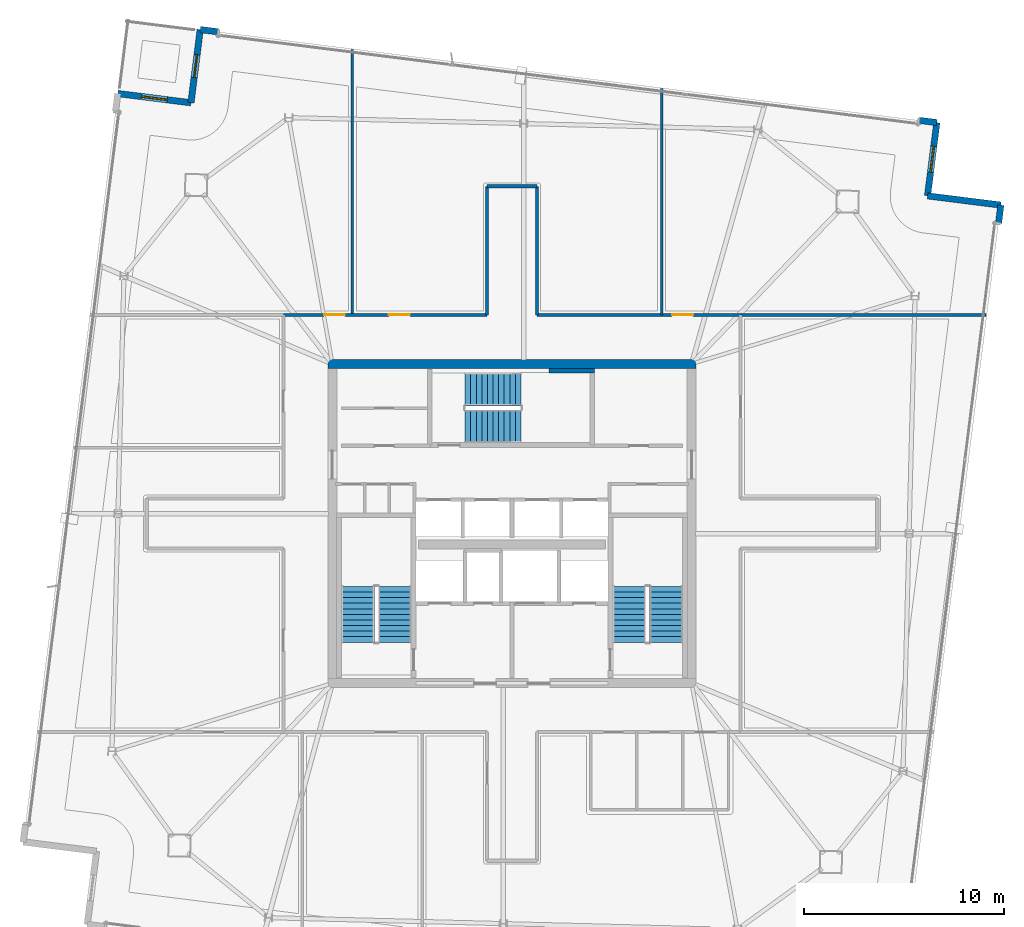
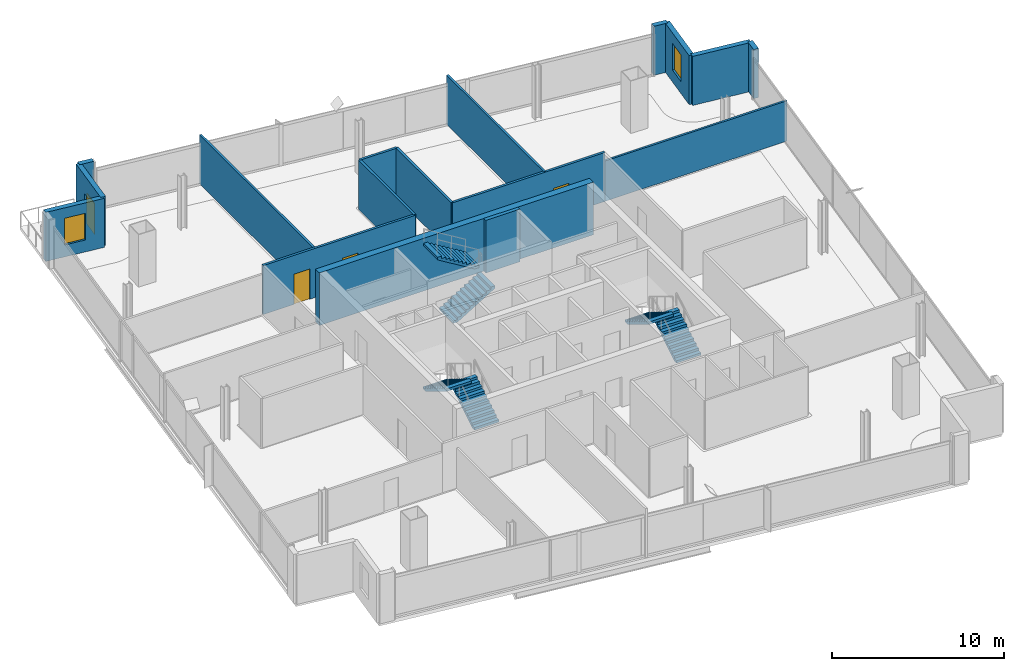
# One storey, part 20 of 23: 17 walls, 6 stair flights, 4 doors, 2 windows, 6 openings, 3 elements without a shape of their own.
"""IFC4 building model written with IfcOpenShell, lengths in metres."""

from ifc_helpers import new_model, si_unit, direction, frame, frame_2d, origin, place, context, subcontext, project, spatial, polyline, rectangle, outline, extrude, material, layer, layer_set, type_object, element, fill, aggregate, save


model = new_model("IFC4")

# Units and contexts
model_context = context("Model", 3, precision=1e-05, world=origin(), true_north=direction((0.0, 1.0)))
body_context = subcontext(model_context, "Body", "Model", "MODEL_VIEW")
ifc_project = project(units=[si_unit("LENGTHUNIT", "METRE"), si_unit("AREAUNIT", "SQUARE_METRE"), si_unit("VOLUMEUNIT", "CUBIC_METRE"), si_unit("PLANEANGLEUNIT", "RADIAN"), si_unit("MASSUNIT", "GRAM", prefix="KILO")], contexts=[model_context])

# Site, building, storey
site_placement = place(None, origin())
site = spatial("IfcSite", under=ifc_project, at=site_placement, CompositionType="ELEMENT")
building_placement = place(site_placement, origin())
building = spatial("IfcBuilding", under=site, at=building_placement, Name="Haldenkirk Collegiate Tower", CompositionType="ELEMENT")
storey_placement = place(building_placement, frame((0.0, 0.0, 306.449951171875)))
storey = spatial("IfcBuildingStorey", under=building, at=storey_placement, Name="L77", CompositionType="ELEMENT", Elevation=306.449951171875)

# Walls
ifc_material_1 = material(Name="Concrete f'c 55 MPa", Category="concrete")
ifc_layer_1 = layer(ifc_material_1, 0.449951171875)
ifc_layer_set_1 = layer_set([ifc_layer_1], Name="Concrete f'c 55 MPa")
wall_type_1 = type_object("IfcWallType", Name="WL-CORE-450", PredefinedType="SHEAR", material=ifc_layer_set_1)
wall_1_placement = place(storey_placement, frame((26.77490234375, 34.0, 0.0), z_axis=(0.0, 0.0, 1.0), x_axis=(1.0, 0.0, 0.0)))
element("IfcWall", 1, at=wall_1_placement, inside=storey, type_object=wall_type_1, Name="L77 central core shear wall N", PredefinedType="SHEAR", context=body_context, shape_type="SweptSolid", body=[
    extrude(rectangle(XDim=18.4501953125, YDim=0.449951171875, at=frame_2d((9.22509765625, 0.0))), origin(), (0.0, 0.0, 1.0), 3.75),
])
ifc_material_2 = material(Name="Precast concrete f'c 40 MPa", Category="concrete")
ifc_layer_2 = layer(ifc_material_2, 0.320068359375)
ifc_layer_set_2 = layer_set([ifc_layer_2], Name="Precast concrete f'c 40 MPa")
wall_type_2 = type_object("IfcWallType", Name="WL-EXT-TWR-320", PredefinedType="STANDARD", material=ifc_layer_set_2)
wall_2_placement = place(storey_placement, frame((60.492919921875, 41.9560546875, 0.0), z_axis=(0.0, 0.0, 1.0), x_axis=(-0.125303102883, -0.99211850724, 0.0)))
element("IfcWall", 2, at=wall_2_placement, inside=storey, type_object=wall_type_2, Name="L77 precast corner pier SL", PredefinedType="STANDARD", context=body_context, shape_type="SweptSolid", body=[
    extrude(rectangle(XDim=0.900146484375, YDim=0.320068359375, at=frame_2d((0.4501953125, 0.0))), origin(), (0.0, 0.0, 1.0), 3.489990234375),
])
wall_3_placement = place(storey_placement, frame((56.822021484375, 42.419921875, 0.0), z_axis=(0.0, 0.0, 1.0), x_axis=(0.992110504402, -0.125366451075, 0.0)))
element("IfcWall", 3, at=wall_3_placement, inside=storey, type_object=wall_type_2, Name="L77 bronze precast notch wall 02", PredefinedType="STANDARD", context=body_context, shape_type="SweptSolid", body=[
    extrude(rectangle(XDim=3.7001953125, YDim=0.320068359375, at=frame_2d((1.85009765625, 0.0))), origin(), (0.0, 0.0, 1.0), 3.489990234375),
])

# Wall, opening, window
wall_4_placement = place(storey_placement, frame((57.285888671875, 46.090576171875, 0.0), z_axis=(0.0, 0.0, 1.0), x_axis=(-0.125374658318, -0.992109467272, 0.0)))
wall_4 = element("IfcWall", 4, at=wall_4_placement, inside=storey, type_object=wall_type_2, Name="L77 bronze precast notch wall 03", PredefinedType="STANDARD", context=body_context, shape_type="SweptSolid", body=[
    extrude(rectangle(XDim=3.699951171875, YDim=0.320068359375, at=frame_2d((1.85009765625, 0.0))), origin(), (0.0, 0.0, 1.0), 3.489990234375),
])
opening_1_placement = place(wall_4_placement, frame((1.199951171875, 0.0, 0.85009765625)))
opening_1 = element("IfcOpeningElement", 5, at=opening_1_placement, cuts=wall_4, Name="Opening W-08", PredefinedType="OPENING", context=body_context, shape_type="SweptSolid", body=[
    extrude(rectangle(XDim=1.300048828125, YDim=1.89990234375, at=frame_2d((0.64990234375, 0.949951171875))), frame((0.0, 0.169921875, 0.0), z_axis=(0.0, -1.0, 0.0), x_axis=(1.0, 0.0, 0.0)), (0.0, 0.0, 1.0), 0.340087890625),
])
ifc_material_3 = material(Name="Low-E argon triple insulating glass", Category="glass")
ifc_layer_3 = layer(ifc_material_3, 0.090087890625)
ifc_layer_set_3 = layer_set([ifc_layer_3], Name="Low-E argon triple insulating glass")
window_type = type_object("IfcWindowType", Name="WN-Z6-1300X1900", PartitioningType="SINGLE_PANEL", PredefinedType="WINDOW", material=ifc_layer_set_3)
window_1_placement = place(opening_1_placement, origin())
window_1 = element("IfcWindow", 6, at=window_1_placement, inside=storey, type_object=window_type, Name="L77 precast-frame academic window 2", OverallHeight=1.89990234375, OverallWidth=1.300048828125, PartitioningType="SINGLE_PANEL", PredefinedType="WINDOW", context=body_context, shape_type="SweptSolid", body=[
    extrude(rectangle(XDim=1.300048828125, YDim=1.89990234375, at=frame_2d((0.64990234375, 0.949951171875))), frame((0.0, 0.030029296875, 0.0), z_axis=(0.0, -1.0, 0.0), x_axis=(1.0, 0.0, 0.0)), (0.0, 0.0, 1.0), 0.06005859375),
])
fill(opening_1, window_1)

# Walls
wall_5_placement = place(storey_placement, frame((20.379150390625, 50.7529296875, 0.0), z_axis=(0.0, 0.0, 1.0), x_axis=(0.99211850724, -0.125303102883, 0.0)))
element("IfcWall", 7, at=wall_5_placement, inside=storey, type_object=wall_type_2, Name="L77 precast corner pier EL", PredefinedType="STANDARD", context=body_context, shape_type="SweptSolid", body=[
    extrude(rectangle(XDim=0.900146484375, YDim=0.320068359375, at=frame_2d((0.4501953125, 0.0))), origin(), (0.0, 0.0, 1.0), 3.489990234375),
])
wall_6_placement = place(storey_placement, frame((56.39306640625, 46.203369140625, 0.0), z_axis=(0.0, 0.0, 1.0), x_axis=(0.992114247149, -0.125336828598, 0.0)))
element("IfcWall", 8, at=wall_6_placement, inside=storey, type_object=wall_type_2, Name="L77 precast corner pier ER", PredefinedType="STANDARD", context=body_context, shape_type="SweptSolid", body=[
    extrude(rectangle(XDim=0.89990234375, YDim=0.320068359375, at=frame_2d((0.449951171875, 0.0))), origin(), (0.0, 0.0, 1.0), 3.489990234375),
])

# Wall, opening, door
wall_7_placement = place(storey_placement, frame((19.91552734375, 47.082275390625, 0.0), z_axis=(0.0, 0.0, 1.0), x_axis=(0.125309708082, 0.992117672991, 0.0)))
wall_7 = element("IfcWall", 9, at=wall_7_placement, inside=storey, type_object=wall_type_2, Name="L77 bronze precast notch wall 05", PredefinedType="STANDARD", context=body_context, shape_type="SweptSolid", body=[
    extrude(rectangle(XDim=3.69970703125, YDim=0.320068359375, at=frame_2d((1.849853515625, 0.0))), origin(), (0.0, 0.0, 1.0), 3.489990234375),
])
opening_2_placement = place(wall_7_placement, frame((1.27490234375, 0.0, 0.0)))
opening_2 = element("IfcOpeningElement", 10, at=opening_2_placement, cuts=wall_7, Name="Opening D-ST11", PredefinedType="OPENING", context=body_context, shape_type="SweptSolid", body=[
    extrude(rectangle(XDim=1.14990234375, YDim=2.199951171875, at=frame_2d((0.574951171875, 1.10009765625))), frame((0.0, 0.169921875, 0.0), z_axis=(0.0, -1.0, 0.0), x_axis=(1.0, 0.0, 0.0)), (0.0, 0.0, 1.0), 0.340087890625),
])
ifc_material_4 = material(Name="Anodised architectural bronze aluminium", Category="aluminium")
ifc_layer_4 = layer(ifc_material_4, 0.080078125)
ifc_layer_set_4 = layer_set([ifc_layer_4], Name="Anodised architectural bronze aluminium")
door_type_1 = type_object("IfcDoorType", Name="DR-EXT-STER-1150", OperationType="NOTDEFINED", PredefinedType="DOOR", material=ifc_layer_set_4)
door_1_placement = place(opening_2_placement, origin())
door_1 = element("IfcDoor", 11, at=door_1_placement, inside=storey, type_object=door_type_1, Name="L77 spiralling terrace door", OperationType="SINGLE_SWING_RIGHT", OverallHeight=2.199951171875, OverallWidth=1.14990234375, PredefinedType="DOOR", context=body_context, shape_type="SweptSolid", body=[
    extrude(rectangle(XDim=1.14990234375, YDim=2.199951171875, at=frame_2d((0.574951171875, 1.10009765625))), frame((0.0, 0.02490234375, 0.0), z_axis=(0.0, -1.0, 0.0), x_axis=(1.0, 0.0, 0.0)), (0.0, 0.0, 1.0), 0.050048828125),
])
fill(opening_2, door_1)

# Wall, opening, window
wall_8_placement = place(storey_placement, frame((16.24462890625, 47.5458984375, 0.0), z_axis=(0.0, 0.0, 1.0), x_axis=(0.992118709055, -0.125301504954, 0.0)))
wall_8 = element("IfcWall", 12, at=wall_8_placement, inside=storey, type_object=wall_type_2, Name="L77 bronze precast notch wall 06", PredefinedType="STANDARD", context=body_context, shape_type="SweptSolid", body=[
    extrude(rectangle(XDim=3.699951171875, YDim=0.320068359375, at=frame_2d((1.85009765625, 0.0))), origin(), (0.0, 0.0, 1.0), 3.489990234375),
])
opening_3_placement = place(wall_8_placement, frame((1.199951171875, 0.0, 0.85009765625)))
opening_3 = element("IfcOpeningElement", 13, at=opening_3_placement, cuts=wall_8, Name="Opening W-08", PredefinedType="OPENING", context=body_context, shape_type="SweptSolid", body=[
    extrude(rectangle(XDim=1.300048828125, YDim=1.89990234375, at=frame_2d((0.64990234375, 0.949951171875))), frame((0.0, 0.169921875, 0.0), z_axis=(0.0, -1.0, 0.0), x_axis=(1.0, 0.0, 0.0)), (0.0, 0.0, 1.0), 0.340087890625),
])
window_2_placement = place(opening_3_placement, origin())
window_2 = element("IfcWindow", 14, at=window_2_placement, inside=storey, type_object=window_type, Name="L77 precast-frame academic window 5", OverallHeight=1.89990234375, OverallWidth=1.300048828125, PartitioningType="SINGLE_PANEL", PredefinedType="WINDOW", context=body_context, shape_type="SweptSolid", body=[
    extrude(rectangle(XDim=1.300048828125, YDim=1.89990234375, at=frame_2d((0.64990234375, 0.949951171875))), frame((0.0, 0.030029296875, 0.0), z_axis=(0.0, -1.0, 0.0), x_axis=(1.0, 0.0, 0.0)), (0.0, 0.0, 1.0), 0.06005859375),
])
fill(opening_3, window_2)

# Wall, openings, doors
ifc_material_5 = material(Name="Acoustic fire-rated gypsum partition", Category="concrete")
ifc_layer_5 = layer(ifc_material_5, 0.159912109375)
ifc_layer_set_5 = layer_set([ifc_layer_5], Name="Acoustic fire-rated gypsum partition")
wall_type_3 = type_object("IfcWallType", Name="WL-INT-CORR-160", PredefinedType="PARTITIONING", material=ifc_layer_set_5)
wall_9_placement = place(storey_placement, frame((24.5, 36.449951171875, 0.0), z_axis=(0.0, 0.0, 1.0), x_axis=(1.0, 0.0, 0.0)))
wall_9 = element("IfcWall", 15, at=wall_9_placement, inside=storey, type_object=wall_type_3, Name="L77 interior partition IW-L77-CN1", PredefinedType="PARTITIONING", context=body_context, shape_type="SweptSolid", body=[
    extrude(rectangle(XDim=10.25, YDim=0.159912109375, at=frame_2d((5.125, 0.0))), origin(), (0.0, 0.0, 1.0), 3.489990234375),
])
opening_4_placement = place(wall_9_placement, frame((2.0810546875, 0.0, 0.0)))
opening_4 = element("IfcOpeningElement", 16, at=opening_4_placement, cuts=wall_9, Name="Opening D-09", PredefinedType="OPENING", context=body_context, shape_type="SweptSolid", body=[
    extrude(rectangle(XDim=1.050048828125, YDim=2.14990234375, at=frame_2d((0.52490234375, 1.074951171875))), frame((0.0, 0.08984375, 0.0), z_axis=(0.0, -1.0, 0.0), x_axis=(1.0, 0.0, 0.0)), (0.0, 0.0, 1.0), 0.179931640625),
])
opening_5_placement = place(wall_9_placement, frame((5.333984375, 0.0, 0.0)))
opening_5 = element("IfcOpeningElement", 17, at=opening_5_placement, cuts=wall_9, Name="Opening D-09", PredefinedType="OPENING", context=body_context, shape_type="SweptSolid", body=[
    extrude(rectangle(XDim=1.050048828125, YDim=2.14990234375, at=frame_2d((0.52490234375, 1.074951171875))), frame((0.0, 0.08984375, 0.0), z_axis=(0.0, -1.0, 0.0), x_axis=(1.0, 0.0, 0.0)), (0.0, 0.0, 1.0), 0.179931640625),
])
ifc_material_6 = material(Name="Solid-core architectural oak fire door", Category="wood")
ifc_layer_6 = layer(ifc_material_6, 0.06005859375)
ifc_layer_set_6 = layer_set([ifc_layer_6], Name="Solid-core architectural oak fire door")
door_type_2 = type_object("IfcDoorType", Name="DR-INT-FD60-1050", OperationType="NOTDEFINED", PredefinedType="DOOR", material=ifc_layer_set_6)
door_2_placement = place(opening_4_placement, origin())
door_2 = element("IfcDoor", 18, at=door_2_placement, inside=storey, type_object=door_type_2, Name="L77 Occupational Health Clinic 4 door", OperationType="SINGLE_SWING_RIGHT", OverallHeight=2.14990234375, OverallWidth=1.050048828125, PredefinedType="DOOR", context=body_context, shape_type="SweptSolid", body=[
    extrude(rectangle(XDim=1.050048828125, YDim=2.14990234375, at=frame_2d((0.52490234375, 1.074951171875))), frame((0.0, 0.02490234375, 0.0), z_axis=(0.0, -1.0, 0.0), x_axis=(1.0, 0.0, 0.0)), (0.0, 0.0, 1.0), 0.050048828125),
])
fill(opening_4, door_2)
door_3_placement = place(opening_5_placement, origin())
door_3 = element("IfcDoor", 19, at=door_3_placement, inside=storey, type_object=door_type_2, Name="L77 Acoustics Testing Laboratory 5 door", OperationType="SINGLE_SWING_LEFT", OverallHeight=2.14990234375, OverallWidth=1.050048828125, PredefinedType="DOOR", context=body_context, shape_type="SweptSolid", body=[
    extrude(rectangle(XDim=1.050048828125, YDim=2.14990234375, at=frame_2d((0.52490234375, 1.074951171875))), frame((0.0, 0.02490234375, 0.0), z_axis=(0.0, -1.0, 0.0), x_axis=(1.0, 0.0, 0.0)), (0.0, 0.0, 1.0), 0.050048828125),
])
fill(opening_5, door_3)

# Wall, opening, door
wall_10_placement = place(storey_placement, frame((37.25, 36.449951171875, 0.0), z_axis=(0.0, 0.0, 1.0), x_axis=(1.0, 0.0, 0.0)))
wall_10 = element("IfcWall", 20, at=wall_10_placement, inside=storey, type_object=wall_type_3, Name="L77 interior partition IW-L77-CN2", PredefinedType="PARTITIONING", context=body_context, shape_type="SweptSolid", body=[
    extrude(rectangle(XDim=10.25, YDim=0.159912109375, at=frame_2d((5.125, 0.0))), origin(), (0.0, 0.0, 1.0), 3.489990234375),
])
opening_6_placement = place(wall_10_placement, frame((6.779052734375, 0.0, 0.0)))
opening_6 = element("IfcOpeningElement", 21, at=opening_6_placement, cuts=wall_10, Name="Opening D-09", PredefinedType="OPENING", context=body_context, shape_type="SweptSolid", body=[
    extrude(rectangle(XDim=1.050048828125, YDim=2.14990234375, at=frame_2d((0.52490234375, 1.074951171875))), frame((0.0, 0.08984375, 0.0), z_axis=(0.0, -1.0, 0.0), x_axis=(1.0, 0.0, 0.0)), (0.0, 0.0, 1.0), 0.179931640625),
])
door_4_placement = place(opening_6_placement, origin())
door_4 = element("IfcDoor", 22, at=door_4_placement, inside=storey, type_object=door_type_2, Name="L77 Environmental Lab 6 door", OperationType="SINGLE_SWING_RIGHT", OverallHeight=2.14990234375, OverallWidth=1.050048828125, PredefinedType="DOOR", context=body_context, shape_type="SweptSolid", body=[
    extrude(rectangle(XDim=1.050048828125, YDim=2.14990234375, at=frame_2d((0.52490234375, 1.074951171875))), frame((0.0, 0.02490234375, 0.0), z_axis=(0.0, -1.0, 0.0), x_axis=(1.0, 0.0, 0.0)), (0.0, 0.0, 1.0), 0.050048828125),
])
fill(opening_6, door_4)

# Walls
for number, where, z_axis, x_axis, name in (
    (23, (34.75, 36.449951171875, 0.0), (0.0, 0.0, 1.0), (0.0, 1.0, 0.0), "L77 interior partition IW-L77-NPW"),
    (24, (37.25, 36.449951171875, 0.0), (0.0, 0.0, 1.0), (0.0, 1.0, 0.0), "L77 interior partition IW-L77-NPE"),
):
    element("IfcWall", number, at=place(storey_placement, frame(where, z_axis=z_axis, x_axis=x_axis)), inside=storey, type_object=wall_type_3, Name=name, PredefinedType="PARTITIONING", context=body_context, shape_type="SweptSolid", body=[
        extrude(rectangle(XDim=6.449951171875, YDim=0.159912109375, at=frame_2d((3.22509765625, 0.0))), origin(), (0.0, 0.0, 1.0), 3.489990234375),
    ])
wall_11_placement = place(storey_placement, frame((34.75, 42.89990234375, 0.0), z_axis=(0.0, 0.0, 1.0), x_axis=(1.0, 0.0, 0.0)))
element("IfcWall", 25, at=wall_11_placement, inside=storey, type_object=wall_type_3, Name="L77 interior partition IW-L77-NPN", PredefinedType="PARTITIONING", context=body_context, shape_type="SweptSolid", body=[
    extrude(rectangle(XDim=2.5, YDim=0.159912109375, at=frame_2d((1.25, 0.0))), origin(), (0.0, 0.0, 1.0), 3.489990234375),
])
ifc_layer_7 = layer(ifc_material_5, 0.139892578125)
ifc_layer_set_7 = layer_set([ifc_layer_7], Name="Acoustic fire-rated gypsum partition")
wall_type_4 = type_object("IfcWallType", Name="WL-INT-DIV-140", PredefinedType="PARTITIONING", material=ifc_layer_set_7)
wall_12_placement = place(storey_placement, frame((47.449951171875, 36.449951171875, 0.0), z_axis=(0.0, 0.0, 1.0), x_axis=(1.0, 0.0, 0.0)))
element("IfcWall", 26, at=wall_12_placement, inside=storey, type_object=wall_type_4, Name="L77 interior partition IW-L77-BEN", PredefinedType="PARTITIONING", context=body_context, shape_type="SweptSolid", body=[
    extrude(rectangle(XDim=12.30712890625, YDim=0.139892578125, at=frame_2d((6.153564453125, 0.0))), origin(), (0.0, 0.0, 1.0), 2.8681640625),
])
wall_13_placement = place(storey_placement, frame((28.0, 36.449951171875, 0.0), z_axis=(0.0, 0.0, 1.0), x_axis=(0.0, 1.0, 0.0)))
element("IfcWall", 27, at=wall_13_placement, inside=storey, type_object=wall_type_4, Name="L77 interior partition IW-L77-RN1", PredefinedType="PARTITIONING", context=body_context, shape_type="SweptSolid", body=[
    extrude(rectangle(XDim=13.300048828125, YDim=0.139892578125, at=frame_2d((6.64990234375, 0.0))), origin(), (0.0, 0.0, 1.0), 3.489990234375),
])
wall_14_placement = place(storey_placement, frame((43.5, 36.449951171875, 0.0), z_axis=(0.0, 0.0, 1.0), x_axis=(0.0, 1.0, 0.0)))
element("IfcWall", 28, at=wall_14_placement, inside=storey, type_object=wall_type_4, Name="L77 interior partition IW-L77-RN2", PredefinedType="PARTITIONING", context=body_context, shape_type="SweptSolid", body=[
    extrude(rectangle(XDim=11.341796875, YDim=0.139892578125, at=frame_2d((5.6708984375, 0.0))), origin(), (0.0, 0.0, 1.0), 3.489990234375),
])
ifc_layer_8 = layer(ifc_material_1, 0.239990234375)
ifc_layer_set_8 = layer_set([ifc_layer_8], Name="Concrete f'c 55 MPa")
wall_type_5 = type_object("IfcWallType", Name="WL-SHAFT-240", PredefinedType="SHEAR", material=ifc_layer_set_8)
wall_15_placement = place(storey_placement, frame((37.85009765625, 33.659912109375, 0.0), z_axis=(0.0, 0.0, 1.0), x_axis=(1.0, 0.0, 0.0)))
element("IfcWall", 29, at=wall_15_placement, inside=storey, type_object=wall_type_5, Name="L77 stair shaft shear wall SW-L77-ST3N", PredefinedType="SHEAR", context=body_context, shape_type="SweptSolid", body=[
    extrude(rectangle(XDim=2.289794921875, YDim=0.239990234375, at=frame_2d((1.14501953125, 0.0))), origin(), (0.0, 0.0, 1.0), 3.75),
])

# Stair, stair flights
ifc_material_7 = material(Name="Concrete f'c 40 MPa", Category="concrete")
stair_type = type_object("IfcStairType", Name="STR-DOGLEG-1650", PredefinedType="HALF_TURN_STAIR", material=ifc_material_7)
stair_1_placement = place(storey_placement, origin())
stair_1 = element("IfcStair", 30, at=stair_1_placement, inside=storey, type_object=stair_type, Name="L77 Core Exit Stair ST-1", PredefinedType="HALF_TURN_STAIR")
stair_flight_type = type_object("IfcStairFlightType", Name="STF-FLIGHT-1650", PredefinedType="STRAIGHT", material=ifc_material_7)
stair_flight_1_placement = place(storey_placement, frame((30.125, 20.050048828125, 0.0), z_axis=(0.0, 0.0, 1.0), x_axis=(0.0, 1.0, 0.0)))
stair_flight_1 = element("IfcStairFlight", 31, at=stair_flight_1_placement, type_object=stair_flight_type, Name="ST-1 flight 1", NumberOfRisers=11, NumberOfTreads=10, PredefinedType="STRAIGHT", RiserHeight=0.170454545, TreadLength=0.28, context=body_context, shape_type="SweptSolid", body=[
    extrude(outline(polyline([(0.0, 0.0), (0.0, 0.17041015625), (0.280029296875, 0.17041015625), (0.280029296875, 0.3408203125), (0.56005859375, 0.3408203125), (0.56005859375, 0.511474609375), (0.840087890625, 0.511474609375), (0.840087890625, 0.681884765625), (1.1201171875, 0.681884765625), (1.1201171875, 0.852294921875), (1.39990234375, 0.852294921875), (1.39990234375, 1.022705078125), (1.679931640625, 1.022705078125), (1.679931640625, 1.193115234375), (1.9599609375, 1.193115234375), (1.9599609375, 1.363525390625), (2.239990234375, 1.363525390625), (2.239990234375, 1.5341796875), (2.52001953125, 1.5341796875), (2.52001953125, 1.70458984375), (2.800048828125, 1.70458984375), (2.800048828125, 1.875), (2.800048828125, 1.529052734375), (0.288330078125, 0.0), (0.0, 0.0)])), frame((0.0, 0.824951171875, 0.0), z_axis=(0.0, -1.0, 0.0), x_axis=(1.0, 0.0, 0.0)), (0.0, 0.0, 1.0), 1.64990234375),
])
stair_flight_2_placement = place(storey_placement, frame((28.27490234375, 22.85009765625, 1.875), z_axis=(0.0, 0.0, 1.0), x_axis=(0.0, -1.0, 0.0)))
stair_flight_2 = element("IfcStairFlight", 32, at=stair_flight_2_placement, type_object=stair_flight_type, Name="ST-1 flight 2", NumberOfRisers=11, NumberOfTreads=10, PredefinedType="STRAIGHT", RiserHeight=0.170454545, TreadLength=0.28, context=body_context, shape_type="SweptSolid", body=[
    extrude(outline(polyline([(0.0, 0.0), (0.0, 0.17041015625), (0.280029296875, 0.17041015625), (0.280029296875, 0.3408203125), (0.56005859375, 0.3408203125), (0.56005859375, 0.511474609375), (0.840087890625, 0.511474609375), (0.840087890625, 0.681884765625), (1.1201171875, 0.681884765625), (1.1201171875, 0.852294921875), (1.39990234375, 0.852294921875), (1.39990234375, 1.022705078125), (1.679931640625, 1.022705078125), (1.679931640625, 1.193115234375), (1.9599609375, 1.193115234375), (1.9599609375, 1.363525390625), (2.239990234375, 1.363525390625), (2.239990234375, 1.5341796875), (2.52001953125, 1.5341796875), (2.52001953125, 1.70458984375), (2.800048828125, 1.70458984375), (2.800048828125, 1.875), (2.800048828125, 1.529052734375), (0.288330078125, 0.0), (0.0, 0.0)])), frame((0.0, 0.824951171875, 0.0), z_axis=(0.0, -1.0, 0.0), x_axis=(1.0, 0.0, 0.0)), (0.0, 0.0, 1.0), 1.64990234375),
])
aggregate(stair_1, [stair_flight_1, stair_flight_2])

stair_2_placement = place(storey_placement, origin())
stair_2 = element("IfcStair", 33, at=stair_2_placement, inside=storey, type_object=stair_type, Name="L77 Core Exit Stair ST-2", PredefinedType="HALF_TURN_STAIR")
stair_flight_3_placement = place(storey_placement, frame((43.72509765625, 20.050048828125, 0.0), z_axis=(0.0, 0.0, 1.0), x_axis=(0.0, 1.0, 0.0)))
stair_flight_3 = element("IfcStairFlight", 34, at=stair_flight_3_placement, type_object=stair_flight_type, Name="ST-2 flight 1", NumberOfRisers=11, NumberOfTreads=10, PredefinedType="STRAIGHT", RiserHeight=0.170454545, TreadLength=0.28, context=body_context, shape_type="SweptSolid", body=[
    extrude(outline(polyline([(0.0, 0.0), (0.0, 0.17041015625), (0.280029296875, 0.17041015625), (0.280029296875, 0.3408203125), (0.56005859375, 0.3408203125), (0.56005859375, 0.511474609375), (0.840087890625, 0.511474609375), (0.840087890625, 0.681884765625), (1.1201171875, 0.681884765625), (1.1201171875, 0.852294921875), (1.39990234375, 0.852294921875), (1.39990234375, 1.022705078125), (1.679931640625, 1.022705078125), (1.679931640625, 1.193115234375), (1.9599609375, 1.193115234375), (1.9599609375, 1.363525390625), (2.239990234375, 1.363525390625), (2.239990234375, 1.5341796875), (2.52001953125, 1.5341796875), (2.52001953125, 1.70458984375), (2.800048828125, 1.70458984375), (2.800048828125, 1.875), (2.800048828125, 1.529052734375), (0.288330078125, 0.0), (0.0, 0.0)])), frame((0.0, 0.824951171875, 0.0), z_axis=(0.0, -1.0, 0.0), x_axis=(1.0, 0.0, 0.0)), (0.0, 0.0, 1.0), 1.64990234375),
])
stair_flight_4_placement = place(storey_placement, frame((41.875, 22.85009765625, 1.875), z_axis=(0.0, 0.0, 1.0), x_axis=(0.0, -1.0, 0.0)))
stair_flight_4 = element("IfcStairFlight", 35, at=stair_flight_4_placement, type_object=stair_flight_type, Name="ST-2 flight 2", NumberOfRisers=11, NumberOfTreads=10, PredefinedType="STRAIGHT", RiserHeight=0.170454545, TreadLength=0.28, context=body_context, shape_type="SweptSolid", body=[
    extrude(outline(polyline([(0.0, 0.0), (0.0, 0.17041015625), (0.280029296875, 0.17041015625), (0.280029296875, 0.3408203125), (0.56005859375, 0.3408203125), (0.56005859375, 0.511474609375), (0.840087890625, 0.511474609375), (0.840087890625, 0.681884765625), (1.1201171875, 0.681884765625), (1.1201171875, 0.852294921875), (1.39990234375, 0.852294921875), (1.39990234375, 1.022705078125), (1.679931640625, 1.022705078125), (1.679931640625, 1.193115234375), (1.9599609375, 1.193115234375), (1.9599609375, 1.363525390625), (2.239990234375, 1.363525390625), (2.239990234375, 1.5341796875), (2.52001953125, 1.5341796875), (2.52001953125, 1.70458984375), (2.800048828125, 1.70458984375), (2.800048828125, 1.875), (2.800048828125, 1.529052734375), (0.288330078125, 0.0), (0.0, 0.0)])), frame((0.0, 0.824951171875, 0.0), z_axis=(0.0, -1.0, 0.0), x_axis=(1.0, 0.0, 0.0)), (0.0, 0.0, 1.0), 1.64990234375),
])
aggregate(stair_2, [stair_flight_3, stair_flight_4])

stair_3_placement = place(storey_placement, origin())
stair_3 = element("IfcStair", 36, at=stair_3_placement, inside=storey, type_object=stair_type, Name="L77 Core Exit Stair ST-3", PredefinedType="HALF_TURN_STAIR")
stair_flight_5_placement = place(storey_placement, frame((33.64990234375, 30.875, 0.0), z_axis=(0.0, 0.0, 1.0), x_axis=(1.0, 0.0, 0.0)))
stair_flight_5 = element("IfcStairFlight", 37, at=stair_flight_5_placement, type_object=stair_flight_type, Name="ST-3 flight 1", NumberOfRisers=11, NumberOfTreads=10, PredefinedType="STRAIGHT", RiserHeight=0.170454545, TreadLength=0.28, context=body_context, shape_type="SweptSolid", body=[
    extrude(outline(polyline([(0.0, 0.0), (0.0, 0.17041015625), (0.280029296875, 0.17041015625), (0.280029296875, 0.3408203125), (0.56005859375, 0.3408203125), (0.56005859375, 0.511474609375), (0.840087890625, 0.511474609375), (0.840087890625, 0.681884765625), (1.1201171875, 0.681884765625), (1.1201171875, 0.852294921875), (1.39990234375, 0.852294921875), (1.39990234375, 1.022705078125), (1.679931640625, 1.022705078125), (1.679931640625, 1.193115234375), (1.9599609375, 1.193115234375), (1.9599609375, 1.363525390625), (2.239990234375, 1.363525390625), (2.239990234375, 1.5341796875), (2.52001953125, 1.5341796875), (2.52001953125, 1.70458984375), (2.800048828125, 1.70458984375), (2.800048828125, 1.875), (2.800048828125, 1.529052734375), (0.288330078125, 0.0), (0.0, 0.0)])), frame((0.0, 0.824951171875, 0.0), z_axis=(0.0, -1.0, 0.0), x_axis=(1.0, 0.0, 0.0)), (0.0, 0.0, 1.0), 1.64990234375),
])
stair_flight_6_placement = place(storey_placement, frame((36.449951171875, 32.72509765625, 1.875), z_axis=(0.0, 0.0, 1.0), x_axis=(-1.0, 0.0, 0.0)))
stair_flight_6 = element("IfcStairFlight", 38, at=stair_flight_6_placement, type_object=stair_flight_type, Name="ST-3 flight 2", NumberOfRisers=11, NumberOfTreads=10, PredefinedType="STRAIGHT", RiserHeight=0.170454545, TreadLength=0.28, context=body_context, shape_type="SweptSolid", body=[
    extrude(outline(polyline([(0.0, 0.0), (0.0, 0.17041015625), (0.280029296875, 0.17041015625), (0.280029296875, 0.3408203125), (0.56005859375, 0.3408203125), (0.56005859375, 0.511474609375), (0.840087890625, 0.511474609375), (0.840087890625, 0.681884765625), (1.1201171875, 0.681884765625), (1.1201171875, 0.852294921875), (1.39990234375, 0.852294921875), (1.39990234375, 1.022705078125), (1.679931640625, 1.022705078125), (1.679931640625, 1.193115234375), (1.9599609375, 1.193115234375), (1.9599609375, 1.363525390625), (2.239990234375, 1.363525390625), (2.239990234375, 1.5341796875), (2.52001953125, 1.5341796875), (2.52001953125, 1.70458984375), (2.800048828125, 1.70458984375), (2.800048828125, 1.875), (2.800048828125, 1.529052734375), (0.288330078125, 0.0), (0.0, 0.0)])), frame((0.0, 0.824951171875, 0.0), z_axis=(0.0, -1.0, 0.0), x_axis=(1.0, 0.0, 0.0)), (0.0, 0.0, 1.0), 1.64990234375),
])
aggregate(stair_3, [stair_flight_5, stair_flight_6])

save(model, "model.ifc")
